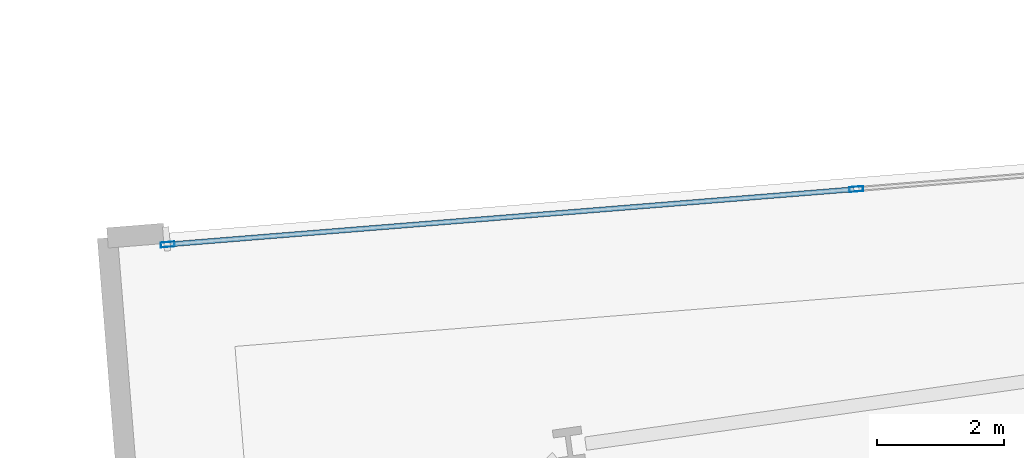
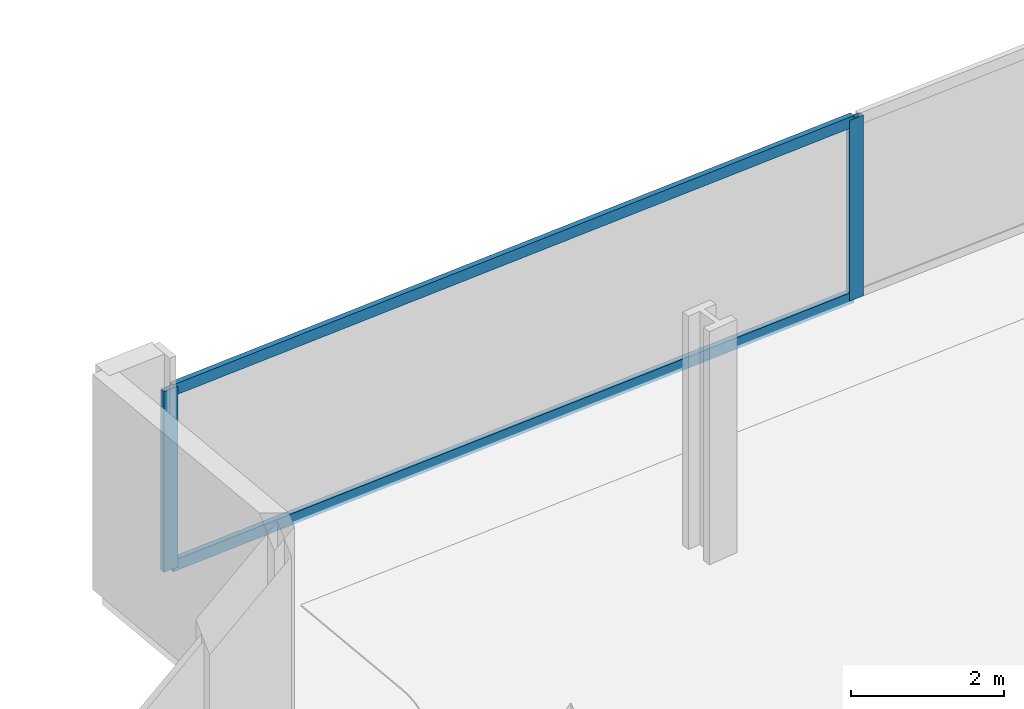
# One storey, part 18 of 33: 4 members, 1 element without a shape of its own.
"""IFC4 building model written with IfcOpenShell, lengths in metres."""

from ifc_helpers import new_model, si_unit, direction, frame, origin, origin_2d, place, context, subcontext, project, spatial, hollow_rectangle, extrude, material, material_profile, profile_set, type_object, element, aggregate, save


model = new_model("IFC4")

# Units and contexts
model_context = context("Model", 3, precision=1e-05, world=origin(), true_north=direction((0.0, 1.0)))
body_context = subcontext(model_context, "Body", "Model", "MODEL_VIEW")
ifc_project = project(units=[si_unit("LENGTHUNIT", "METRE"), si_unit("AREAUNIT", "SQUARE_METRE"), si_unit("VOLUMEUNIT", "CUBIC_METRE"), si_unit("PLANEANGLEUNIT", "RADIAN"), si_unit("MASSUNIT", "GRAM", prefix="KILO")], contexts=[model_context])

# Site, building, storey
site_placement = place(None, origin())
site = spatial("IfcSite", under=ifc_project, at=site_placement, CompositionType="ELEMENT")
building_placement = place(site_placement, origin())
building = spatial("IfcBuilding", under=site, at=building_placement, Name="Haldenkirk Collegiate Tower", CompositionType="ELEMENT")
storey_placement = place(building_placement, frame((0.0, 0.0, 43.949951171875)))
storey = spatial("IfcBuildingStorey", under=building, at=storey_placement, Name="L09", CompositionType="ELEMENT", Elevation=43.949951171875)

# Curtain wall, members
ifc_material = material(Name="Anodised architectural bronze aluminium", Category="aluminium")
curtain_wall_type = type_object("IfcCurtainWallType", Name="CW-SYS1-CONVEX-LOW", PredefinedType="USERDEFINED", material=ifc_material)
curtain_wall_placement = place(storey_placement, origin())
curtain_wall = element("IfcCurtainWall", 1, at=curtain_wall_placement, inside=storey, type_object=curtain_wall_type, Name="L09 Lower tower convex bronze-framed unitised curtain wall", ObjectType="UNITISED CURTAIN WALL", PredefinedType="USERDEFINED")
ifc_material_profile_1 = material_profile(ifc_material, hollow_rectangle(XDim=0.080078125, YDim=0.219970703125, WallThickness=0.0048828125, at=origin_2d()), Name="CW-MUL-1A")
ifc_profile_set_1 = profile_set([ifc_material_profile_1], Name="Anodised architectural bronze aluminium")
member_type_1 = type_object("IfcMemberType", Name="CW-MUL-1A", PredefinedType="MULLION", material=ifc_profile_set_1)
member_1_placement = place(storey_placement, frame((12.1396484375, 49.983642578125, 0.0), z_axis=(0.0, 0.0, 1.0), x_axis=(-0.08019865918, 0.99677889979, 0.0)))
member_1 = element("IfcMember", 2, at=member_1_placement, type_object=member_type_1, Name="CW-1A mullion 1", PredefinedType="MULLION", context=body_context, shape_type="SweptSolid", body=[
    extrude(hollow_rectangle(XDim=0.080078125, YDim=0.219970703125, WallThickness=0.0048828125, at=origin_2d()), origin(), (0.0, 0.0, 1.0), 2.89111328125),
])
member_2_placement = place(storey_placement, frame((23.014404296875, 50.858642578125, 0.0), z_axis=(0.0, 0.0, 1.0), x_axis=(-0.08019865918, 0.99677889979, 0.0)))
member_2 = element("IfcMember", 3, at=member_2_placement, type_object=member_type_1, Name="CW-1A mullion 2", PredefinedType="MULLION", context=body_context, shape_type="SweptSolid", body=[
    extrude(hollow_rectangle(XDim=0.080078125, YDim=0.219970703125, WallThickness=0.0048828125, at=origin_2d()), origin(), (0.0, 0.0, 1.0), 2.89111328125),
])
ifc_material_profile_2 = material_profile(ifc_material, hollow_rectangle(XDim=0.080078125, YDim=0.179931640625, WallThickness=0.0048828125, at=origin_2d()), Name="CW-TRN-1A")
ifc_profile_set_2 = profile_set([ifc_material_profile_2], Name="Anodised architectural bronze aluminium")
member_type_2 = type_object("IfcMemberType", Name="CW-TRN-1A", PredefinedType="USERDEFINED", material=ifc_profile_set_2)
member_3_placement = place(storey_placement, frame((12.179443359375, 49.98681640625, 0.0400390625), z_axis=(0.996778185242, 0.080207539704, 0.0), x_axis=(-0.080207539704, 0.996778185242, 0.0)))
member_3 = element("IfcMember", 4, at=member_3_placement, type_object=member_type_2, Name="CW-1A transom 1.1", ObjectType="TRANSOM", PredefinedType="USERDEFINED", context=body_context, shape_type="SweptSolid", body=[
    extrude(hollow_rectangle(XDim=0.080078125, YDim=0.179931640625, WallThickness=0.0048828125, at=origin_2d()), origin(), (0.0, 0.0, 1.0), 10.830078125),
])
member_4_placement = place(storey_placement, frame((12.179443359375, 49.98681640625, 2.85107421875), z_axis=(0.996778185242, 0.080207539704, 0.0), x_axis=(-0.080207539704, 0.996778185242, 0.0)))
member_4 = element("IfcMember", 5, at=member_4_placement, type_object=member_type_2, Name="CW-1A transom 1.2", ObjectType="TRANSOM", PredefinedType="USERDEFINED", context=body_context, shape_type="SweptSolid", body=[
    extrude(hollow_rectangle(XDim=0.080078125, YDim=0.179931640625, WallThickness=0.0048828125, at=origin_2d()), origin(), (0.0, 0.0, 1.0), 10.830078125),
])
aggregate(curtain_wall, [member_1, member_2, member_3, member_4])

save(model, "model.ifc")
